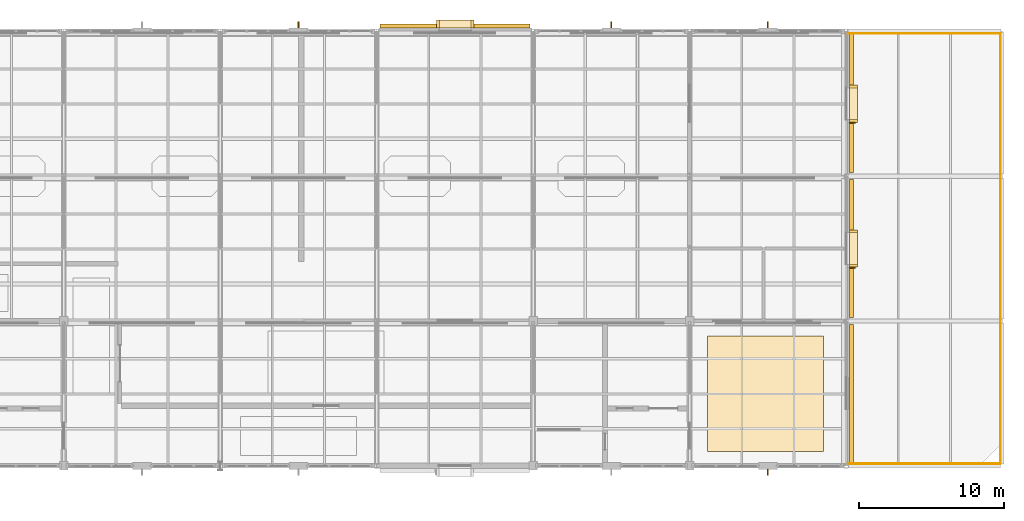
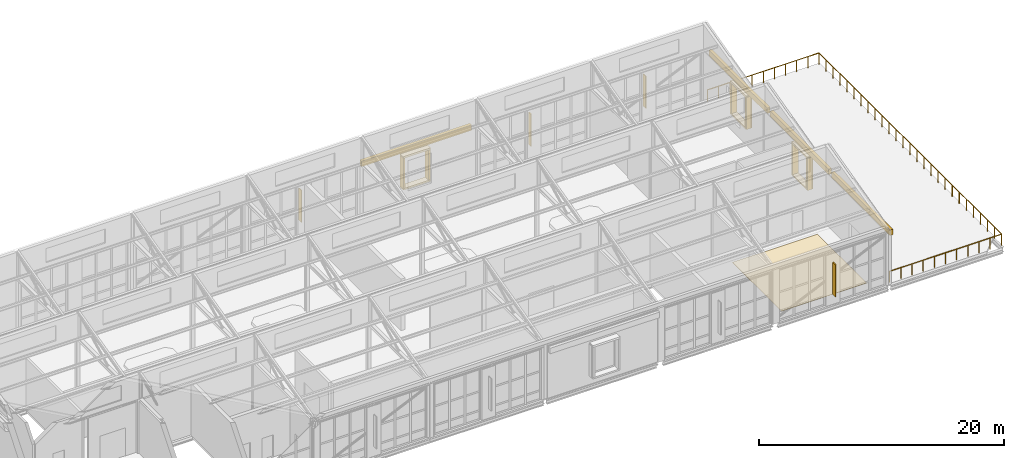
# One storey, part 49 of 49: 17 coverings, 6 shading devices, 3 railings.
"""IFC4 building model written with IfcOpenShell, lengths in metres."""

from ifc_helpers import new_model, si_unit, direction, frame, origin, origin_2d, place, context, subcontext, project, spatial, rectangle, circle, extrude, material, layer, layer_set, type_object, element, save


model = new_model("IFC4")

# Units and contexts
model_context = context("Model", 3, precision=1e-05, world=origin(), true_north=direction((0.0, 1.0)))
body_context = subcontext(model_context, "Body", "Model", "MODEL_VIEW")
ifc_project = project(units=[si_unit("LENGTHUNIT", "METRE"), si_unit("AREAUNIT", "SQUARE_METRE"), si_unit("VOLUMEUNIT", "CUBIC_METRE"), si_unit("PLANEANGLEUNIT", "RADIAN"), si_unit("MASSUNIT", "GRAM", prefix="KILO")], contexts=[model_context])

# Site, building, storey
site_placement = place(None, origin())
site = spatial("IfcSite", under=ifc_project, at=site_placement, CompositionType="ELEMENT")
building_placement = place(site_placement, origin())
building = spatial("IfcBuilding", under=site, at=building_placement, Name="Tasgan Crest Museum", CompositionType="ELEMENT")
storey_placement = place(building_placement, frame((0.0, 0.0, 28.800048828125)))
storey = spatial("IfcBuildingStorey", under=building, at=storey_placement, Name="L05", CompositionType="ELEMENT", Elevation=28.800048828125)

# Coverings
ifc_material_1 = material(Name="Polished Granite Terrazzo", Category="masonry")
ifc_layer_1 = layer(ifc_material_1, 0.030029296875, Name="COV-FLOOR-TERRAZZO")
ifc_layer_set_1 = layer_set([ifc_layer_1], Name="Polished Granite Terrazzo")
covering_type_1 = type_object("IfcCoveringType", Name="COV-FLOOR-TERRAZZO", PredefinedType="FLOORING", material=ifc_layer_set_1)
covering_1_placement = place(storey_placement, frame((70.050048828125, 86.97509765625, 0.0), z_axis=(0.0, 0.0, 1.0), x_axis=(1.0, 0.0, 0.0)))
element("IfcCovering", 1, at=covering_1_placement, inside=storey, type_object=covering_type_1, Name="Crest Terrace Exhibition Vestibule floor finish", PredefinedType="FLOORING", context=body_context, shape_type="SweptSolid", body=[
    extrude(rectangle(XDim=8.0, YDim=8.0, at=origin_2d()), origin(), (0.0, 0.0, 1.0), 0.030029296875),
])
ifc_material_2 = material(Name="Honed Rose-Red Mongolian Granite", Category="masonry")
ifc_layer_2 = layer(ifc_material_2, 0.0400390625, Name="COV-GRANITE-ROSE")
ifc_layer_set_2 = layer_set([ifc_layer_2], Name="Honed Rose-Red Mongolian Granite")
covering_type_2 = type_object("IfcCoveringType", Name="COV-GRANITE-ROSE", PredefinedType="CLADDING", material=ifc_layer_set_2)
for number, where, z_axis, x_axis, name in (
    (2, (76.10009765625, 95.81005859375, 1.0), (0.0, 0.0, 1.0), (0.0, 1.0, 0.0), "Deep window reveal jamb L05-068"),
    (3, (76.10009765625, 98.18994140625, 1.0), (0.0, 0.0, 1.0), (0.0, 1.0, 0.0), "Deep window reveal jamb L05-068"),
    (4, (76.10009765625, 105.802978515625, 1.0), (0.0, 0.0, 1.0), (0.0, 1.0, 0.0), "Deep window reveal jamb L05-069"),
    (5, (76.10009765625, 108.18310546875, 1.0), (0.0, 0.0, 1.0), (0.0, 1.0, 0.0), "Deep window reveal jamb L05-069"),
    (6, (49.814453125, 112.5, 1.0), (0.0, 0.0, 1.0), (-1.0, 0.0, 0.0), "Deep window reveal jamb L05-070"),
    (7, (47.4345703125, 112.5, 1.0), (0.0, 0.0, 1.0), (-1.0, 0.0, 0.0), "Deep window reveal jamb L05-070"),
):
    element("IfcCovering", number, at=place(storey_placement, frame(where, z_axis=z_axis, x_axis=x_axis)), inside=storey, type_object=covering_type_2, Name=name, PredefinedType="CLADDING", context=body_context, shape_type="SweptSolid", body=[
        extrude(rectangle(XDim=0.179931640625, YDim=0.550048828125, at=origin_2d()), origin(), (0.0, 0.0, 1.0), 3.0),
    ])
ifc_material_3 = material(Name="Honed Buff Limestone", Category="masonry")
ifc_layer_3 = layer(ifc_material_3, 0.044921875, Name="COV-LIMESTONE-BUFF")
ifc_layer_set_3 = layer_set([ifc_layer_3], Name="Honed Buff Limestone")
covering_type_3 = type_object("IfcCoveringType", Name="COV-LIMESTONE-BUFF", PredefinedType="CLADDING", material=ifc_layer_set_3)
covering_2_placement = place(storey_placement, frame((75.965087890625, 87.0, 4.56005859375), z_axis=(0.0, 0.0, 1.0), x_axis=(0.0, 1.0, 0.0)))
element("IfcCovering", 8, at=covering_2_placement, inside=storey, type_object=covering_type_3, Name="Stone frieze cladding L05", PredefinedType="CLADDING", context=body_context, shape_type="SweptSolid", body=[
    extrude(rectangle(XDim=9.52392578125, YDim=0.280029296875, at=origin_2d()), origin(), (0.0, 0.0, 1.0), 0.550048828125),
])
covering_3_placement = place(storey_placement, frame((75.965087890625, 97.0, 4.56005859375), z_axis=(0.0, 0.0, 1.0), x_axis=(0.0, 1.0, 0.0)))
element("IfcCovering", 9, at=covering_3_placement, inside=storey, type_object=covering_type_3, Name="Stone frieze cladding L05", PredefinedType="CLADDING", context=body_context, shape_type="SweptSolid", body=[
    extrude(rectangle(XDim=9.5380859375, YDim=0.280029296875, at=origin_2d()), origin(), (0.0, 0.0, 1.0), 0.550048828125),
])
covering_4_placement = place(storey_placement, frame((76.10009765625, 97.0, 4.0), z_axis=(0.0, 0.0, 1.0), x_axis=(0.0, 1.0, 0.0)))
element("IfcCovering", 10, at=covering_4_placement, inside=storey, type_object=covering_type_3, Name="Deep window hood L05-068", PredefinedType="CLADDING", context=body_context, shape_type="SweptSolid", body=[
    extrude(rectangle(XDim=2.56005859375, YDim=0.550048828125, at=origin_2d()), origin(), (0.0, 0.0, 1.0), 0.179931640625),
])
covering_5_placement = place(storey_placement, frame((76.10009765625, 97.0, 0.85986328125), z_axis=(0.0, 0.0, 1.0), x_axis=(0.0, 1.0, 0.0)))
element("IfcCovering", 11, at=covering_5_placement, inside=storey, type_object=covering_type_3, Name="Deep window sill L05-068", PredefinedType="CLADDING", context=body_context, shape_type="SweptSolid", body=[
    extrude(rectangle(XDim=2.56005859375, YDim=0.550048828125, at=origin_2d()), origin(), (0.0, 0.0, 1.0), 0.139892578125),
])
covering_6_placement = place(storey_placement, frame((75.965087890625, 107.0, 4.56005859375), z_axis=(0.0, 0.0, 1.0), x_axis=(0.0, 1.0, 0.0)))
element("IfcCovering", 12, at=covering_6_placement, inside=storey, type_object=covering_type_3, Name="Stone frieze cladding L05", PredefinedType="CLADDING", context=body_context, shape_type="SweptSolid", body=[
    extrude(rectangle(XDim=9.52392578125, YDim=0.280029296875, at=origin_2d()), origin(), (0.0, 0.0, 1.0), 0.550048828125),
])
covering_7_placement = place(storey_placement, frame((76.10009765625, 106.992919921875, 4.0), z_axis=(0.0, 0.0, 1.0), x_axis=(0.0, 1.0, 0.0)))
element("IfcCovering", 13, at=covering_7_placement, inside=storey, type_object=covering_type_3, Name="Deep window hood L05-069", PredefinedType="CLADDING", context=body_context, shape_type="SweptSolid", body=[
    extrude(rectangle(XDim=2.56005859375, YDim=0.550048828125, at=origin_2d()), origin(), (0.0, 0.0, 1.0), 0.179931640625),
])
covering_8_placement = place(storey_placement, frame((76.10009765625, 106.992919921875, 0.85986328125), z_axis=(0.0, 0.0, 1.0), x_axis=(0.0, 1.0, 0.0)))
element("IfcCovering", 14, at=covering_8_placement, inside=storey, type_object=covering_type_3, Name="Deep window sill L05-069", PredefinedType="CLADDING", context=body_context, shape_type="SweptSolid", body=[
    extrude(rectangle(XDim=2.56005859375, YDim=0.550048828125, at=origin_2d()), origin(), (0.0, 0.0, 1.0), 0.139892578125),
])
covering_9_placement = place(storey_placement, frame((48.60009765625, 112.364990234375, 4.56005859375), z_axis=(0.0, 0.0, 1.0), x_axis=(-1.0, 0.0, 0.0)))
element("IfcCovering", 15, at=covering_9_placement, inside=storey, type_object=covering_type_3, Name="Stone frieze cladding L05", PredefinedType="CLADDING", context=body_context, shape_type="SweptSolid", body=[
    extrude(rectangle(XDim=10.35888671875, YDim=0.280029296875, at=origin_2d()), origin(), (0.0, 0.0, 1.0), 0.550048828125),
])
covering_10_placement = place(storey_placement, frame((48.62451171875, 112.5, 4.0), z_axis=(0.0, 0.0, 1.0), x_axis=(-1.0, 0.0, 0.0)))
element("IfcCovering", 16, at=covering_10_placement, inside=storey, type_object=covering_type_3, Name="Deep window hood L05-070", PredefinedType="CLADDING", context=body_context, shape_type="SweptSolid", body=[
    extrude(rectangle(XDim=2.56005859375, YDim=0.550048828125, at=origin_2d()), origin(), (0.0, 0.0, 1.0), 0.179931640625),
])
covering_11_placement = place(storey_placement, frame((48.62451171875, 112.5, 0.85986328125), z_axis=(0.0, 0.0, 1.0), x_axis=(-1.0, 0.0, 0.0)))
element("IfcCovering", 17, at=covering_11_placement, inside=storey, type_object=covering_type_3, Name="Deep window sill L05-070", PredefinedType="CLADDING", context=body_context, shape_type="SweptSolid", body=[
    extrude(rectangle(XDim=2.56005859375, YDim=0.550048828125, at=origin_2d()), origin(), (0.0, 0.0, 1.0), 0.139892578125),
])

# Railings
ifc_material_4 = material(Name="Bronze and Honed Granite Balustrade", Category="masonry")
railing_type_1 = type_object("IfcRailingType", Name="RL-BALUSTRADE-1150", PredefinedType="BALUSTRADE", material=ifc_material_4)
railing_1_placement = place(storey_placement, frame((86.25, 82.14990234375, 0.0)))
element("IfcRailing", 18, at=railing_1_placement, inside=storey, type_object=railing_type_1, Name="Terrace guardrail L05 TR-CREST-E", PredefinedType="BALUSTRADE", context=body_context, shape_type="SweptSolid", body=[
    extrude(circle(Radius=0.02392578125, at=origin_2d()), frame((0.0, 0.0, 1.1259765625), z_axis=(0.0, 1.0, 0.0), x_axis=(-1.0, 0.0, 0.0)), (0.0, 0.0, 1.0), 29.7001953125),
    extrude(circle(Radius=0.02099609375, at=origin_2d()), origin(), (0.0, 0.0, 1.0), 1.101806640625),
    extrude(circle(Radius=0.02099609375, at=origin_2d()), frame((0.0, 1.142333984375, 0.0)), (0.0, 0.0, 1.0), 1.101806640625),
    extrude(circle(Radius=0.02099609375, at=origin_2d()), frame((0.0, 2.28466796875, 0.0)), (0.0, 0.0, 1.0), 1.101806640625),
    extrude(circle(Radius=0.02099609375, at=origin_2d()), frame((0.0, 3.427001953125, 0.0)), (0.0, 0.0, 1.0), 1.101806640625),
    extrude(circle(Radius=0.02099609375, at=origin_2d()), frame((0.0, 4.5693359375, 0.0)), (0.0, 0.0, 1.0), 1.101806640625),
    extrude(circle(Radius=0.02099609375, at=origin_2d()), frame((0.0, 5.711669921875, 0.0)), (0.0, 0.0, 1.0), 1.101806640625),
    extrude(circle(Radius=0.02099609375, at=origin_2d()), frame((0.0, 6.85400390625, 0.0)), (0.0, 0.0, 1.0), 1.101806640625),
    extrude(circle(Radius=0.02099609375, at=origin_2d()), frame((0.0, 7.99609375, 0.0)), (0.0, 0.0, 1.0), 1.101806640625),
    extrude(circle(Radius=0.02099609375, at=origin_2d()), frame((0.0, 9.138427734375, 0.0)), (0.0, 0.0, 1.0), 1.101806640625),
    extrude(circle(Radius=0.02099609375, at=origin_2d()), frame((0.0, 10.28076171875, 0.0)), (0.0, 0.0, 1.0), 1.101806640625),
    extrude(circle(Radius=0.02099609375, at=origin_2d()), frame((0.0, 11.423095703125, 0.0)), (0.0, 0.0, 1.0), 1.101806640625),
    extrude(circle(Radius=0.02099609375, at=origin_2d()), frame((0.0, 12.5654296875, 0.0)), (0.0, 0.0, 1.0), 1.101806640625),
    extrude(circle(Radius=0.02099609375, at=origin_2d()), frame((0.0, 13.707763671875, 0.0)), (0.0, 0.0, 1.0), 1.101806640625),
    extrude(circle(Radius=0.02099609375, at=origin_2d()), frame((0.0, 14.85009765625, 0.0)), (0.0, 0.0, 1.0), 1.101806640625),
    extrude(circle(Radius=0.02099609375, at=origin_2d()), frame((0.0, 15.992431640625, 0.0)), (0.0, 0.0, 1.0), 1.101806640625),
    extrude(circle(Radius=0.02099609375, at=origin_2d()), frame((0.0, 17.134765625, 0.0)), (0.0, 0.0, 1.0), 1.101806640625),
    extrude(circle(Radius=0.02099609375, at=origin_2d()), frame((0.0, 18.277099609375, 0.0)), (0.0, 0.0, 1.0), 1.101806640625),
    extrude(circle(Radius=0.02099609375, at=origin_2d()), frame((0.0, 19.41943359375, 0.0)), (0.0, 0.0, 1.0), 1.101806640625),
    extrude(circle(Radius=0.02099609375, at=origin_2d()), frame((0.0, 20.561767578125, 0.0)), (0.0, 0.0, 1.0), 1.101806640625),
    extrude(circle(Radius=0.02099609375, at=origin_2d()), frame((0.0, 21.7041015625, 0.0)), (0.0, 0.0, 1.0), 1.101806640625),
    extrude(circle(Radius=0.02099609375, at=origin_2d()), frame((0.0, 22.84619140625, 0.0)), (0.0, 0.0, 1.0), 1.101806640625),
    extrude(circle(Radius=0.02099609375, at=origin_2d()), frame((0.0, 23.988525390625, 0.0)), (0.0, 0.0, 1.0), 1.101806640625),
    extrude(circle(Radius=0.02099609375, at=origin_2d()), frame((0.0, 25.130859375, 0.0)), (0.0, 0.0, 1.0), 1.101806640625),
    extrude(circle(Radius=0.02099609375, at=origin_2d()), frame((0.0, 26.273193359375, 0.0)), (0.0, 0.0, 1.0), 1.101806640625),
    extrude(circle(Radius=0.02099609375, at=origin_2d()), frame((0.0, 27.41552734375, 0.0)), (0.0, 0.0, 1.0), 1.101806640625),
    extrude(circle(Radius=0.02099609375, at=origin_2d()), frame((0.0, 28.557861328125, 0.0)), (0.0, 0.0, 1.0), 1.101806640625),
    extrude(circle(Radius=0.02099609375, at=origin_2d()), frame((0.0, 29.7001953125, 0.0)), (0.0, 0.0, 1.0), 1.101806640625),
])
railing_2_placement = place(storey_placement, frame((86.25, 111.85009765625, 0.0)))
element("IfcRailing", 19, at=railing_2_placement, inside=storey, type_object=railing_type_1, Name="Terrace guardrail L05 TR-CREST-N", PredefinedType="BALUSTRADE", context=body_context, shape_type="SweptSolid", body=[
    extrude(circle(Radius=0.02392578125, at=origin_2d()), frame((0.0, 0.0, 1.1259765625), z_axis=(-1.0, 0.0, 0.0), x_axis=(0.0, -1.0, 0.0)), (0.0, 0.0, 1.0), 10.5),
    extrude(circle(Radius=0.02099609375, at=origin_2d()), origin(), (0.0, 0.0, 1.0), 1.101806640625),
    extrude(circle(Radius=0.02099609375, at=origin_2d()), frame((-1.050048828125, 0.0, 0.0)), (0.0, 0.0, 1.0), 1.101806640625),
    extrude(circle(Radius=0.02099609375, at=origin_2d()), frame((-2.10009765625, 0.0, 0.0)), (0.0, 0.0, 1.0), 1.101806640625),
    extrude(circle(Radius=0.02099609375, at=origin_2d()), frame((-3.14990234375, 0.0, 0.0)), (0.0, 0.0, 1.0), 1.101806640625),
    extrude(circle(Radius=0.02099609375, at=origin_2d()), frame((-4.199951171875, 0.0, 0.0)), (0.0, 0.0, 1.0), 1.101806640625),
    extrude(circle(Radius=0.02099609375, at=origin_2d()), frame((-5.25, 0.0, 0.0)), (0.0, 0.0, 1.0), 1.101806640625),
    extrude(circle(Radius=0.02099609375, at=origin_2d()), frame((-6.300048828125, 0.0, 0.0)), (0.0, 0.0, 1.0), 1.101806640625),
    extrude(circle(Radius=0.02099609375, at=origin_2d()), frame((-7.35009765625, 0.0, 0.0)), (0.0, 0.0, 1.0), 1.101806640625),
    extrude(circle(Radius=0.02099609375, at=origin_2d()), frame((-8.39990234375, 0.0, 0.0)), (0.0, 0.0, 1.0), 1.101806640625),
    extrude(circle(Radius=0.02099609375, at=origin_2d()), frame((-9.449951171875, 0.0, 0.0)), (0.0, 0.0, 1.0), 1.101806640625),
    extrude(circle(Radius=0.02099609375, at=origin_2d()), frame((-10.5, 0.0, 0.0)), (0.0, 0.0, 1.0), 1.101806640625),
])
ifc_material_5 = material(Name="Painted Galvanised Steel", Category="steel")
railing_type_2 = type_object("IfcRailingType", Name="RL-TERR-GUARD-1120", PredefinedType="GUARDRAIL", material=ifc_material_5)
railing_3_placement = place(storey_placement, frame((75.75, 82.14990234375, 0.0)))
element("IfcRailing", 20, at=railing_3_placement, inside=storey, type_object=railing_type_2, Name="Terrace guardrail L05 TR-CREST-S", PredefinedType="GUARDRAIL", context=body_context, shape_type="SweptSolid", body=[
    extrude(circle(Radius=0.02392578125, at=origin_2d()), frame((0.0, 0.0, 1.09619140625), z_axis=(1.0, 0.0, 0.0), x_axis=(0.0, 1.0, 0.0)), (0.0, 0.0, 1.0), 10.5),
    extrude(circle(Radius=0.02099609375, at=origin_2d()), origin(), (0.0, 0.0, 1.0), 1.072021484375),
    extrude(circle(Radius=0.02099609375, at=origin_2d()), frame((1.050048828125, 0.0, 0.0)), (0.0, 0.0, 1.0), 1.072021484375),
    extrude(circle(Radius=0.02099609375, at=origin_2d()), frame((2.10009765625, 0.0, 0.0)), (0.0, 0.0, 1.0), 1.072021484375),
    extrude(circle(Radius=0.02099609375, at=origin_2d()), frame((3.14990234375, 0.0, 0.0)), (0.0, 0.0, 1.0), 1.072021484375),
    extrude(circle(Radius=0.02099609375, at=origin_2d()), frame((4.199951171875, 0.0, 0.0)), (0.0, 0.0, 1.0), 1.072021484375),
    extrude(circle(Radius=0.02099609375, at=origin_2d()), frame((5.25, 0.0, 0.0)), (0.0, 0.0, 1.0), 1.072021484375),
    extrude(circle(Radius=0.02099609375, at=origin_2d()), frame((6.300048828125, 0.0, 0.0)), (0.0, 0.0, 1.0), 1.072021484375),
    extrude(circle(Radius=0.02099609375, at=origin_2d()), frame((7.35009765625, 0.0, 0.0)), (0.0, 0.0, 1.0), 1.072021484375),
    extrude(circle(Radius=0.02099609375, at=origin_2d()), frame((8.39990234375, 0.0, 0.0)), (0.0, 0.0, 1.0), 1.072021484375),
    extrude(circle(Radius=0.02099609375, at=origin_2d()), frame((9.449951171875, 0.0, 0.0)), (0.0, 0.0, 1.0), 1.072021484375),
    extrude(circle(Radius=0.02099609375, at=origin_2d()), frame((10.5, 0.0, 0.0)), (0.0, 0.0, 1.0), 1.072021484375),
])

# Shading devices
ifc_material_6 = material(Name="Anodised Bronze Aluminium", Category="aluminium")
shading_device_type = type_object("IfcShadingDeviceType", Name="SH-FIN-V400", PredefinedType="JALOUSIE", material=ifc_material_6)
for number, where, z_axis, x_axis, name in (
    (21, (76.034912109375, 95.679931640625, 0.89990234375), (0.0, 0.0, 1.0), (0.0, 1.0, 0.0), "Solar shading fin L05-068"),
    (22, (76.034912109375, 105.673095703125, 0.89990234375), (0.0, 0.0, 1.0), (0.0, 1.0, 0.0), "Solar shading fin L05-069"),
    (23, (70.199951171875, 112.449951171875, 0.97998046875), (0.0, 0.0, 1.0), (-1.0, 0.0, 0.0), "Facade pier solar fin L05"),
    (24, (59.39990234375, 112.449951171875, 0.97998046875), (0.0, 0.0, 1.0), (-1.0, 0.0, 0.0), "Facade pier solar fin L05"),
    (25, (37.800048828125, 112.449951171875, 0.97998046875), (0.0, 0.0, 1.0), (-1.0, 0.0, 0.0), "Facade pier solar fin L05"),
    (26, (70.199951171875, 81.550048828125, 0.97998046875), (0.0, 0.0, 1.0), (1.0, 0.0, 0.0), "Facade pier solar fin L05"),
):
    element("IfcShadingDevice", number, at=place(storey_placement, frame(where, z_axis=z_axis, x_axis=x_axis)), inside=storey, type_object=shading_device_type, Name=name, PredefinedType="JALOUSIE", context=body_context, shape_type="SweptSolid", body=[
        extrude(rectangle(XDim=0.080078125, YDim=0.419921875, at=origin_2d()), origin(), (0.0, 0.0, 1.0), 3.199951171875),
    ])

save(model, "model.ifc")
